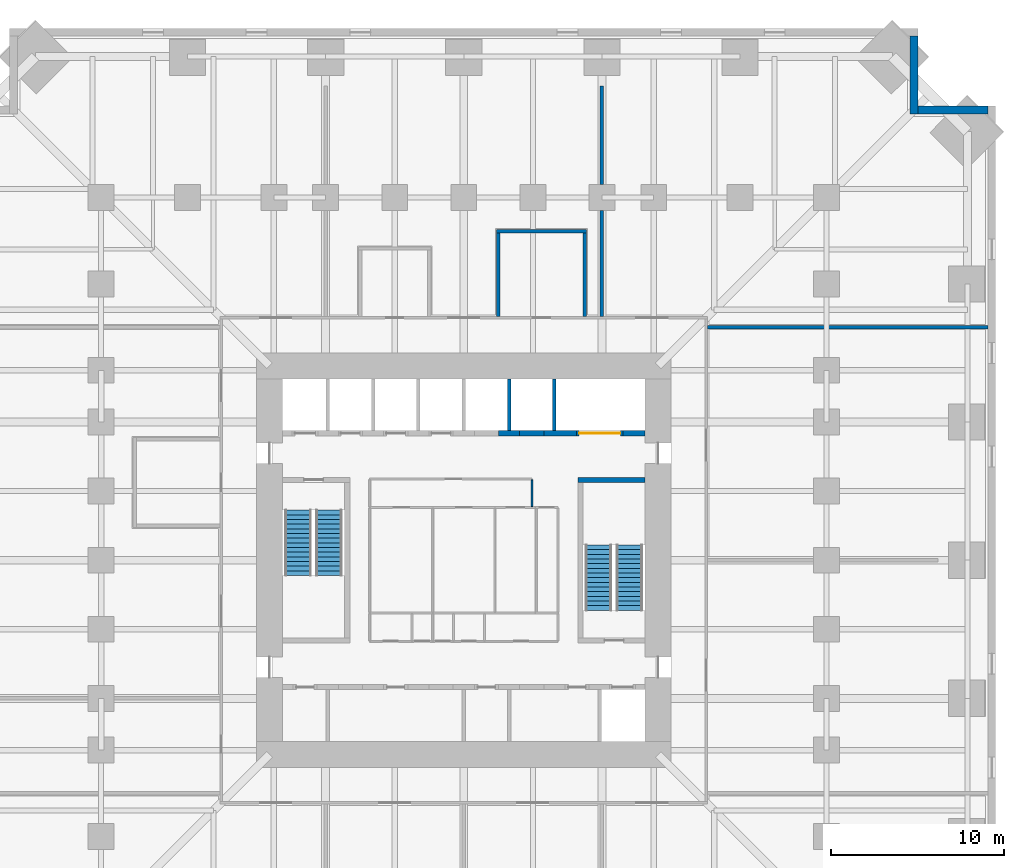
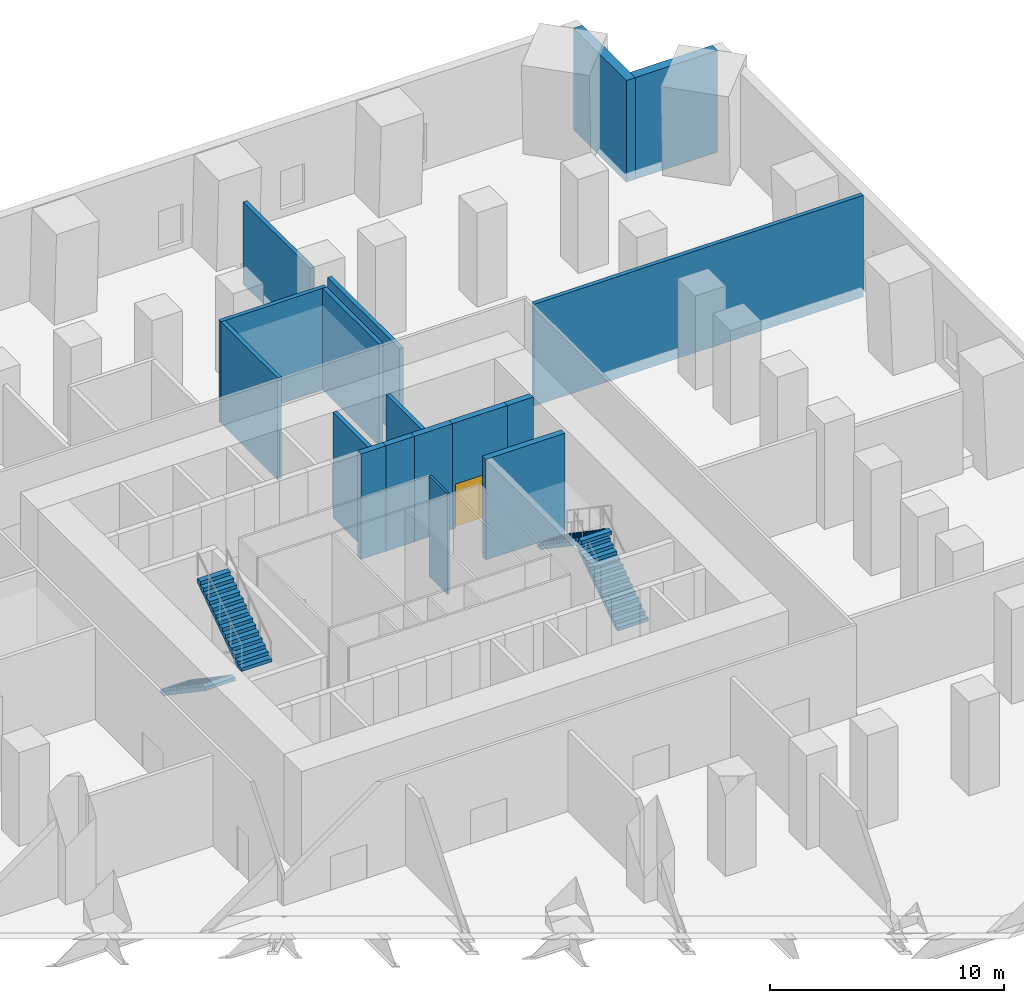
# One storey, part 7 of 8: 17 walls, 4 stair flights, 1 door, 1 opening, 2 elements without a shape of their own.
"""IFC4 building model written with IfcOpenShell, lengths in metres."""

from ifc_helpers import new_model, si_unit, direction, frame, frame_2d, origin, place, context, subcontext, project, spatial, polyline, rectangle, outline, extrude, material, layer, layer_set, type_object, element, fill, aggregate, save


model = new_model("IFC4")

# Units and contexts
model_context = context("Model", 3, precision=1e-05, world=origin(), true_north=direction((0.0, 1.0)))
body_context = subcontext(model_context, "Body", "Model", "MODEL_VIEW")
ifc_project = project(units=[si_unit("LENGTHUNIT", "METRE"), si_unit("AREAUNIT", "SQUARE_METRE"), si_unit("VOLUMEUNIT", "CUBIC_METRE"), si_unit("PLANEANGLEUNIT", "RADIAN"), si_unit("MASSUNIT", "GRAM", prefix="KILO")], contexts=[model_context])

# Site, building, storey
site_placement = place(None, origin())
site = spatial("IfcSite", under=ifc_project, at=site_placement, CompositionType="ELEMENT")
building_placement = place(site_placement, origin())
building = spatial("IfcBuilding", under=site, at=building_placement, Name="Peilmerk Tower", CompositionType="ELEMENT")
storey_placement = place(building_placement, frame((0.0, 0.0, 43.0)))
storey = spatial("IfcBuildingStorey", under=building, at=storey_placement, Name="L08", CompositionType="ELEMENT", Elevation=43.0)

# Walls
ifc_material_1 = material(Name="Precast concrete C45/55, board-marked finish", Category="concrete")
ifc_layer_1 = layer(ifc_material_1, 0.449951171875)
ifc_layer_set_1 = layer_set([ifc_layer_1], Name="Precast concrete C45/55, board-marked finish")
wall_type_1 = type_object("IfcWallType", Name="EW1 450 precast concrete facade wall, board-marked", PredefinedType="SOLIDWALL", material=ifc_layer_set_1)
wall_1_placement = place(storey_placement, frame((26.074951171875, 25.85009765625, 0.0), z_axis=(0.0, 0.0, 1.0), x_axis=(0.0, 1.0, 0.0)))
element("IfcWall", 1, at=wall_1_placement, inside=storey, type_object=wall_type_1, Name="Facade wall NEA L08", PredefinedType="SOLIDWALL", context=body_context, shape_type="SweptSolid", body=[
    extrude(rectangle(XDim=4.5, YDim=0.449951171875, at=frame_2d((2.25, 0.0))), origin(), (0.0, 0.0, 1.0), 5.300048828125),
])
wall_2_placement = place(storey_placement, frame((26.300048828125, 26.074951171875, 0.0), z_axis=(0.0, 0.0, 1.0), x_axis=(1.0, 0.0, 0.0)))
element("IfcWall", 2, at=wall_2_placement, inside=storey, type_object=wall_type_1, Name="Facade wall NEB L08", PredefinedType="SOLIDWALL", context=body_context, shape_type="SweptSolid", body=[
    extrude(rectangle(XDim=4.050048828125, YDim=0.449951171875, at=frame_2d((2.02490234375, 0.0))), origin(), (0.0, 0.0, 1.0), 5.300048828125),
])
ifc_material_2 = material(Name="Calcium silicate block", Category="masonry")
ifc_layer_2 = layer(ifc_material_2, 0.199951171875)
ifc_layer_set_2 = layer_set([ifc_layer_2], Name="Calcium silicate block")
wall_type_2 = type_object("IfcWallType", Name="IW2 200 room separating wall, EI 120", PredefinedType="PARTITIONING", material=ifc_layer_set_2)
wall_3_placement = place(storey_placement, frame((14.125, 13.5, 0.0), z_axis=(0.0, 0.0, 1.0), x_axis=(1.0, 0.0, 0.0)))
element("IfcWall", 3, at=wall_3_placement, inside=storey, type_object=wall_type_2, Name="Room separating wall NE L08", PredefinedType="PARTITIONING", context=body_context, shape_type="SweptSolid", body=[
    extrude(rectangle(XDim=16.22509765625, YDim=0.199951171875, at=frame_2d((8.112548828125, 0.0))), origin(), (0.0, 0.0, 1.0), 5.300048828125),
])
wall_4_placement = place(storey_placement, frame((8.0, 14.125, 0.0), z_axis=(0.0, 0.0, 1.0), x_axis=(0.0, 1.0, 0.0)))
element("IfcWall", 4, at=wall_4_placement, inside=storey, type_object=wall_type_2, Name="Room separating wall N2 L08", PredefinedType="PARTITIONING", context=body_context, shape_type="SweptSolid", body=[
    extrude(rectangle(XDim=6.125, YDim=0.199951171875, at=frame_2d((3.0625, 0.0))), origin(), (0.0, 0.0, 1.0), 4.73095703125),
])
wall_5_placement = place(storey_placement, frame((8.0, 21.75, 0.0), z_axis=(0.0, 0.0, 1.0), x_axis=(0.0, 1.0, 0.0)))
element("IfcWall", 5, at=wall_5_placement, inside=storey, type_object=wall_type_2, Name="Room separating wall N2b L08", PredefinedType="PARTITIONING", context=body_context, shape_type="SweptSolid", body=[
    extrude(rectangle(XDim=5.706298828125, YDim=0.199951171875, at=frame_2d((2.85302734375, 0.0))), origin(), (0.0, 0.0, 1.0), 4.2919921875),
])
wall_6_placement = place(storey_placement, frame((1.89990234375, 19.050048828125, 0.0), z_axis=(0.0, 0.0, 1.0), x_axis=(1.0, 0.0, 0.0)))
element("IfcWall", 6, at=wall_6_placement, inside=storey, type_object=wall_type_2, Name="Room separating wall Operations office L08", PredefinedType="PARTITIONING", context=body_context, shape_type="SweptSolid", body=[
    extrude(rectangle(XDim=5.2001953125, YDim=0.199951171875, at=frame_2d((2.60009765625, 0.0))), origin(), (0.0, 0.0, 1.0), 5.300048828125),
])
for number, where, z_axis, x_axis, name in (
    (7, (2.0, 14.125, 0.0), (0.0, 0.0, 1.0), (0.0, 1.0, 0.0), "Room separating wall Operations office L08"),
    (8, (7.0, 14.125, 0.0), (0.0, 0.0, 1.0), (0.0, 1.0, 0.0), "Room separating wall Operations office L08"),
):
    element("IfcWall", number, at=place(storey_placement, frame(where, z_axis=z_axis, x_axis=x_axis)), inside=storey, type_object=wall_type_2, Name=name, PredefinedType="PARTITIONING", context=body_context, shape_type="SweptSolid", body=[
        extrude(rectangle(XDim=4.824951171875, YDim=0.199951171875, at=frame_2d((2.41259765625, 0.0))), origin(), (0.0, 0.0, 1.0), 5.300048828125),
    ])
ifc_material_3 = material(Name="Concrete C35/45", Category="concrete")
ifc_layer_3 = layer(ifc_material_3, 0.300048828125)
ifc_layer_set_3 = layer_set([ifc_layer_3], Name="Concrete C35/45")
wall_type_3 = type_object("IfcWallType", Name="IW3 300 concrete stair enclosure wall, EI 120", PredefinedType="SOLIDWALL", material=ifc_layer_set_3)
wall_7_placement = place(storey_placement, frame((6.60009765625, 4.64990234375, 0.0), z_axis=(0.0, 0.0, 1.0), x_axis=(1.0, 0.0, 0.0)))
element("IfcWall", 9, at=wall_7_placement, inside=storey, type_object=wall_type_3, Name="Stair 2 enclosure L08", PredefinedType="SOLIDWALL", context=body_context, shape_type="SweptSolid", body=[
    extrude(rectangle(XDim=3.89990234375, YDim=0.300048828125, at=frame_2d((1.949951171875, 0.0))), origin(), (0.0, 0.0, 1.0), 5.25),
])
ifc_material_4 = material(Name="Fire-resisting plasterboard on steel studs", Category="steel")
ifc_layer_4 = layer(ifc_material_4, 0.10009765625)
ifc_layer_set_4 = layer_set([ifc_layer_4], Name="Fire-resisting plasterboard on steel studs")
wall_type_4 = type_object("IfcWallType", Name="IW9 100 WC lobby wall, EI 30", PredefinedType="PARTITIONING", material=ifc_layer_set_4)
wall_8_placement = place(storey_placement, frame((3.949951171875, 3.10009765625, 0.0), z_axis=(0.0, 0.0, 1.0), x_axis=(0.0, 1.0, 0.0)))
element("IfcWall", 10, at=wall_8_placement, inside=storey, type_object=wall_type_4, Name="WC lobby wall L08", PredefinedType="PARTITIONING", context=body_context, shape_type="SweptSolid", body=[
    extrude(rectangle(XDim=1.5498046875, YDim=0.10009765625, at=frame_2d((0.77490234375, 0.0))), origin(), (0.0, 0.0, 1.0), 5.25),
])
ifc_layer_5 = layer(ifc_material_2, 0.199951171875)
ifc_layer_set_5 = layer_set([ifc_layer_5], Name="Calcium silicate block")
wall_type_5 = type_object("IfcWallType", Name="SH1 200 shaft dividing wall, EI 120", PredefinedType="PARTITIONING", material=ifc_layer_set_5)
for number, where, z_axis, x_axis, name in (
    (11, (2.625, 7.5, 0.0), (0.0, 0.0, 1.0), (0.0, 1.0, 0.0), "Shaft wall N S1 L08"),
    (12, (5.25, 7.5, 0.0), (0.0, 0.0, 1.0), (0.0, 1.0, 0.0), "Shaft wall N S2 L08"),
):
    element("IfcWall", number, at=place(storey_placement, frame(where, z_axis=z_axis, x_axis=x_axis)), inside=storey, type_object=wall_type_5, Name=name, PredefinedType="PARTITIONING", context=body_context, shape_type="SweptSolid", body=[
        extrude(rectangle(XDim=3.0, YDim=0.199951171875, at=frame_2d((1.5, 0.0))), origin(), (0.0, 0.0, 1.0), 5.5),
    ])
ifc_layer_6 = layer(ifc_material_2, 0.300048828125)
ifc_layer_set_6 = layer_set([ifc_layer_6], Name="Calcium silicate block")
wall_type_6 = type_object("IfcWallType", Name="SH2 300 lift landing door panel, EI 120", PredefinedType="PARTITIONING", material=ifc_layer_set_6)
wall_9_placement = place(storey_placement, frame((3.237548828125, 7.35009765625, 0.0), z_axis=(0.0, 0.0, 1.0), x_axis=(1.0, 0.0, 0.0)))
element("IfcWall", 13, at=wall_9_placement, inside=storey, type_object=wall_type_6, Name="Lift door panel N S2 L08", PredefinedType="PARTITIONING", context=body_context, shape_type="SweptSolid", body=[
    extrude(rectangle(XDim=1.39990234375, YDim=0.300048828125, at=frame_2d((0.699951171875, 0.0))), origin(), (0.0, 0.0, 1.0), 5.5),
])

# Wall, opening, door
wall_10_placement = place(storey_placement, frame((6.52490234375, 7.35009765625, 0.0), z_axis=(0.0, 0.0, 1.0), x_axis=(1.0, 0.0, 0.0)))
wall_10 = element("IfcWall", 14, at=wall_10_placement, inside=storey, type_object=wall_type_6, Name="Lift door panel N GL1 L08", PredefinedType="PARTITIONING", context=body_context, shape_type="SweptSolid", body=[
    extrude(rectangle(XDim=2.7001953125, YDim=0.300048828125, at=frame_2d((1.35009765625, 0.0))), origin(), (0.0, 0.0, 1.0), 5.5),
])
opening_placement = place(wall_10_placement, frame((0.14990234375, 0.0, 0.0)))
opening = element("IfcOpeningElement", 15, at=opening_placement, cuts=wall_10, Name="Opening LD3", PredefinedType="OPENING", context=body_context, shape_type="SweptSolid", body=[
    extrude(rectangle(XDim=2.39990234375, YDim=2.300048828125, at=frame_2d((1.199951171875, 1.14990234375))), frame((0.0, 0.159912109375, 0.0), z_axis=(0.0, -1.0, 0.0), x_axis=(1.0, 0.0, 0.0)), (0.0, 0.0, 1.0), 0.320068359375),
])
ifc_material_5 = material(Name="Stainless steel landing door", Category="steel")
door_type = type_object("IfcDoorType", Name="LD3 2400x2300 lift landing door, sliding, EI2 60", OperationType="SLIDING_TO_LEFT", PredefinedType="DOOR", material=ifc_material_5)
door_placement = place(opening_placement, frame((2.39990234375, 0.0, 0.0), z_axis=(0.0, 0.0, 1.0), x_axis=(-1.0, 0.0, 0.0)))
door = element("IfcDoor", 16, at=door_placement, inside=storey, type_object=door_type, Name="Lift landing door GL1 L08", OperationType="SLIDING_TO_LEFT", OverallHeight=2.300048828125, OverallWidth=2.39990234375, PredefinedType="DOOR", context=body_context, shape_type="SweptSolid", body=[
    extrude(rectangle(XDim=2.39990234375, YDim=2.300048828125, at=frame_2d((1.199951171875, 1.14990234375))), frame((0.0, 0.02490234375, 0.0), z_axis=(0.0, -1.0, 0.0), x_axis=(1.0, 0.0, 0.0)), (0.0, 0.0, 1.0), 0.050048828125),
])
fill(opening, door)

# Walls
ifc_material_6 = material(Name="Concrete C55/67", Category="concrete")
ifc_layer_7 = layer(ifc_material_6, 0.300048828125)
ifc_layer_set_7 = layer_set([ifc_layer_7], Name="Concrete C55/67")
wall_type_7 = type_object("IfcWallType", Name="SW2 300 lift bank pier", PredefinedType="SHEAR", material=ifc_layer_set_7)
wall_11_placement = place(storey_placement, frame((2.012451171875, 7.35009765625, 0.0), z_axis=(0.0, 0.0, 1.0), x_axis=(1.0, 0.0, 0.0)))
element("IfcWall", 17, at=wall_11_placement, inside=storey, type_object=wall_type_7, Name="Lift bank pier N L08", PredefinedType="SHEAR", context=body_context, shape_type="SweptSolid", body=[
    extrude(rectangle(XDim=1.22509765625, YDim=0.300048828125, at=frame_2d((0.612548828125, 0.0))), origin(), (0.0, 0.0, 1.0), 5.5),
])
wall_12_placement = place(storey_placement, frame((4.637451171875, 7.35009765625, 0.0), z_axis=(0.0, 0.0, 1.0), x_axis=(1.0, 0.0, 0.0)))
element("IfcWall", 18, at=wall_12_placement, inside=storey, type_object=wall_type_7, Name="Lift bank pier N L08", PredefinedType="SHEAR", context=body_context, shape_type="SweptSolid", body=[
    extrude(rectangle(XDim=1.887451171875, YDim=0.300048828125, at=frame_2d((0.94384765625, 0.0))), origin(), (0.0, 0.0, 1.0), 5.5),
])
wall_13_placement = place(storey_placement, frame((9.22509765625, 7.35009765625, 0.0), z_axis=(0.0, 0.0, 1.0), x_axis=(1.0, 0.0, 0.0)))
element("IfcWall", 19, at=wall_13_placement, inside=storey, type_object=wall_type_7, Name="Lift bank pier N L08", PredefinedType="SHEAR", context=body_context, shape_type="SweptSolid", body=[
    extrude(rectangle(XDim=1.27490234375, YDim=0.300048828125, at=frame_2d((0.637451171875, 0.0))), origin(), (0.0, 0.0, 1.0), 5.5),
])

# Stair, stair flights
ifc_material_7 = material(Name="Precast concrete C45/55", Category="concrete")
stair_type_1 = type_object("IfcStairType", Name="ST1 30 risers of 183.3", PredefinedType="HALF_TURN_STAIR", material=ifc_material_7)
stair_1_placement = place(storey_placement, origin())
stair_1 = element("IfcStair", 20, at=stair_1_placement, inside=storey, type_object=stair_type_1, Name="Stair 1 L08 to L09", PredefinedType="HALF_TURN_STAIR")
stair_flight_type = type_object("IfcStairFlightType", Name="SF15 flight, 15 risers of 183.3", PredefinedType="STRAIGHT", material=ifc_material_7)
stair_flight_1_placement = place(storey_placement, frame((-9.60009765625, 2.89990234375, 0.0), z_axis=(0.0, 0.0, 1.0), x_axis=(0.0, -1.0, 0.0)))
stair_flight_1 = element("IfcStairFlight", 21, at=stair_flight_1_placement, type_object=stair_flight_type, Name="ST1 flight 1", NumberOfRisers=15, NumberOfTreads=14, PredefinedType="STRAIGHT", RiserHeight=0.183333333, TreadLength=0.27, context=body_context, shape_type="SweptSolid", body=[
    extrude(outline(polyline([(0.0, 0.0), (0.0, 0.183349609375), (0.27001953125, 0.183349609375), (0.27001953125, 0.36669921875), (0.5400390625, 0.36669921875), (0.5400390625, 0.550048828125), (0.81005859375, 0.550048828125), (0.81005859375, 0.7333984375), (1.080078125, 0.7333984375), (1.080078125, 0.916748046875), (1.35009765625, 0.916748046875), (1.35009765625, 1.10009765625), (1.6201171875, 1.10009765625), (1.6201171875, 1.283447265625), (1.889892578125, 1.283447265625), (1.889892578125, 1.466552734375), (2.159912109375, 1.466552734375), (2.159912109375, 1.64990234375), (2.429931640625, 1.64990234375), (2.429931640625, 1.833251953125), (2.699951171875, 1.833251953125), (2.699951171875, 2.0166015625), (2.969970703125, 2.0166015625), (2.969970703125, 2.199951171875), (3.239990234375, 2.199951171875), (3.239990234375, 2.38330078125), (3.510009765625, 2.38330078125), (3.510009765625, 2.566650390625), (3.780029296875, 2.566650390625), (3.780029296875, 2.75), (3.780029296875, 2.385498046875), (0.266845703125, 0.0), (0.0, 0.0)])), frame((0.0, 0.75, 0.0), z_axis=(0.0, -1.0, 0.0), x_axis=(1.0, 0.0, 0.0)), (0.0, 0.0, 1.0), 1.5),
])
stair_flight_2_placement = place(storey_placement, frame((-7.800048828125, -0.8798828125, 2.75), z_axis=(0.0, 0.0, 1.0), x_axis=(0.0, 1.0, 0.0)))
stair_flight_2 = element("IfcStairFlight", 22, at=stair_flight_2_placement, type_object=stair_flight_type, Name="ST1 flight 2", NumberOfRisers=15, NumberOfTreads=14, PredefinedType="STRAIGHT", RiserHeight=0.183333333, TreadLength=0.27, context=body_context, shape_type="SweptSolid", body=[
    extrude(outline(polyline([(0.0, 0.0), (0.0, 0.183349609375), (0.27001953125, 0.183349609375), (0.27001953125, 0.36669921875), (0.5400390625, 0.36669921875), (0.5400390625, 0.550048828125), (0.81005859375, 0.550048828125), (0.81005859375, 0.7333984375), (1.080078125, 0.7333984375), (1.080078125, 0.916748046875), (1.35009765625, 0.916748046875), (1.35009765625, 1.10009765625), (1.6201171875, 1.10009765625), (1.6201171875, 1.283447265625), (1.889892578125, 1.283447265625), (1.889892578125, 1.466552734375), (2.159912109375, 1.466552734375), (2.159912109375, 1.64990234375), (2.429931640625, 1.64990234375), (2.429931640625, 1.833251953125), (2.699951171875, 1.833251953125), (2.699951171875, 2.0166015625), (2.969970703125, 2.0166015625), (2.969970703125, 2.199951171875), (3.239990234375, 2.199951171875), (3.239990234375, 2.38330078125), (3.510009765625, 2.38330078125), (3.510009765625, 2.566650390625), (3.780029296875, 2.566650390625), (3.780029296875, 2.75), (3.780029296875, 2.385498046875), (0.266845703125, 0.0), (0.0, 0.0)])), frame((0.0, 0.75, 0.0), z_axis=(0.0, -1.0, 0.0), x_axis=(1.0, 0.0, 0.0)), (0.0, 0.0, 1.0), 1.5),
])
aggregate(stair_1, [stair_flight_1, stair_flight_2])

stair_type_2 = type_object("IfcStairType", Name="ST2 30 risers of 183.3", PredefinedType="HALF_TURN_STAIR", material=ifc_material_7)
stair_2_placement = place(storey_placement, origin())
stair_2 = element("IfcStair", 23, at=stair_2_placement, inside=storey, type_object=stair_type_2, Name="Stair 2 L08 to L09", PredefinedType="HALF_TURN_STAIR")
stair_flight_3_placement = place(storey_placement, frame((9.60009765625, -2.89990234375, 0.0), z_axis=(0.0, 0.0, 1.0), x_axis=(0.0, 1.0, 0.0)))
stair_flight_3 = element("IfcStairFlight", 24, at=stair_flight_3_placement, type_object=stair_flight_type, Name="ST2 flight 1", NumberOfRisers=15, NumberOfTreads=14, PredefinedType="STRAIGHT", RiserHeight=0.183333333, TreadLength=0.27, context=body_context, shape_type="SweptSolid", body=[
    extrude(outline(polyline([(0.0, 0.0), (0.0, 0.183349609375), (0.27001953125, 0.183349609375), (0.27001953125, 0.36669921875), (0.5400390625, 0.36669921875), (0.5400390625, 0.550048828125), (0.81005859375, 0.550048828125), (0.81005859375, 0.7333984375), (1.080078125, 0.7333984375), (1.080078125, 0.916748046875), (1.35009765625, 0.916748046875), (1.35009765625, 1.10009765625), (1.6201171875, 1.10009765625), (1.6201171875, 1.283447265625), (1.889892578125, 1.283447265625), (1.889892578125, 1.466552734375), (2.159912109375, 1.466552734375), (2.159912109375, 1.64990234375), (2.429931640625, 1.64990234375), (2.429931640625, 1.833251953125), (2.699951171875, 1.833251953125), (2.699951171875, 2.0166015625), (2.969970703125, 2.0166015625), (2.969970703125, 2.199951171875), (3.239990234375, 2.199951171875), (3.239990234375, 2.38330078125), (3.510009765625, 2.38330078125), (3.510009765625, 2.566650390625), (3.780029296875, 2.566650390625), (3.780029296875, 2.75), (3.780029296875, 2.385498046875), (0.266845703125, 0.0), (0.0, 0.0)])), frame((0.0, 0.75, 0.0), z_axis=(0.0, -1.0, 0.0), x_axis=(1.0, 0.0, 0.0)), (0.0, 0.0, 1.0), 1.5),
])
stair_flight_4_placement = place(storey_placement, frame((7.800048828125, 0.8798828125, 2.75), z_axis=(0.0, 0.0, 1.0), x_axis=(0.0, -1.0, 0.0)))
stair_flight_4 = element("IfcStairFlight", 25, at=stair_flight_4_placement, type_object=stair_flight_type, Name="ST2 flight 2", NumberOfRisers=15, NumberOfTreads=14, PredefinedType="STRAIGHT", RiserHeight=0.183333333, TreadLength=0.27, context=body_context, shape_type="SweptSolid", body=[
    extrude(outline(polyline([(0.0, 0.0), (0.0, 0.183349609375), (0.27001953125, 0.183349609375), (0.27001953125, 0.36669921875), (0.5400390625, 0.36669921875), (0.5400390625, 0.550048828125), (0.81005859375, 0.550048828125), (0.81005859375, 0.7333984375), (1.080078125, 0.7333984375), (1.080078125, 0.916748046875), (1.35009765625, 0.916748046875), (1.35009765625, 1.10009765625), (1.6201171875, 1.10009765625), (1.6201171875, 1.283447265625), (1.889892578125, 1.283447265625), (1.889892578125, 1.466552734375), (2.159912109375, 1.466552734375), (2.159912109375, 1.64990234375), (2.429931640625, 1.64990234375), (2.429931640625, 1.833251953125), (2.699951171875, 1.833251953125), (2.699951171875, 2.0166015625), (2.969970703125, 2.0166015625), (2.969970703125, 2.199951171875), (3.239990234375, 2.199951171875), (3.239990234375, 2.38330078125), (3.510009765625, 2.38330078125), (3.510009765625, 2.566650390625), (3.780029296875, 2.566650390625), (3.780029296875, 2.75), (3.780029296875, 2.385498046875), (0.266845703125, 0.0), (0.0, 0.0)])), frame((0.0, 0.75, 0.0), z_axis=(0.0, -1.0, 0.0), x_axis=(1.0, 0.0, 0.0)), (0.0, 0.0, 1.0), 1.5),
])
aggregate(stair_2, [stair_flight_3, stair_flight_4])

save(model, "model.ifc")
